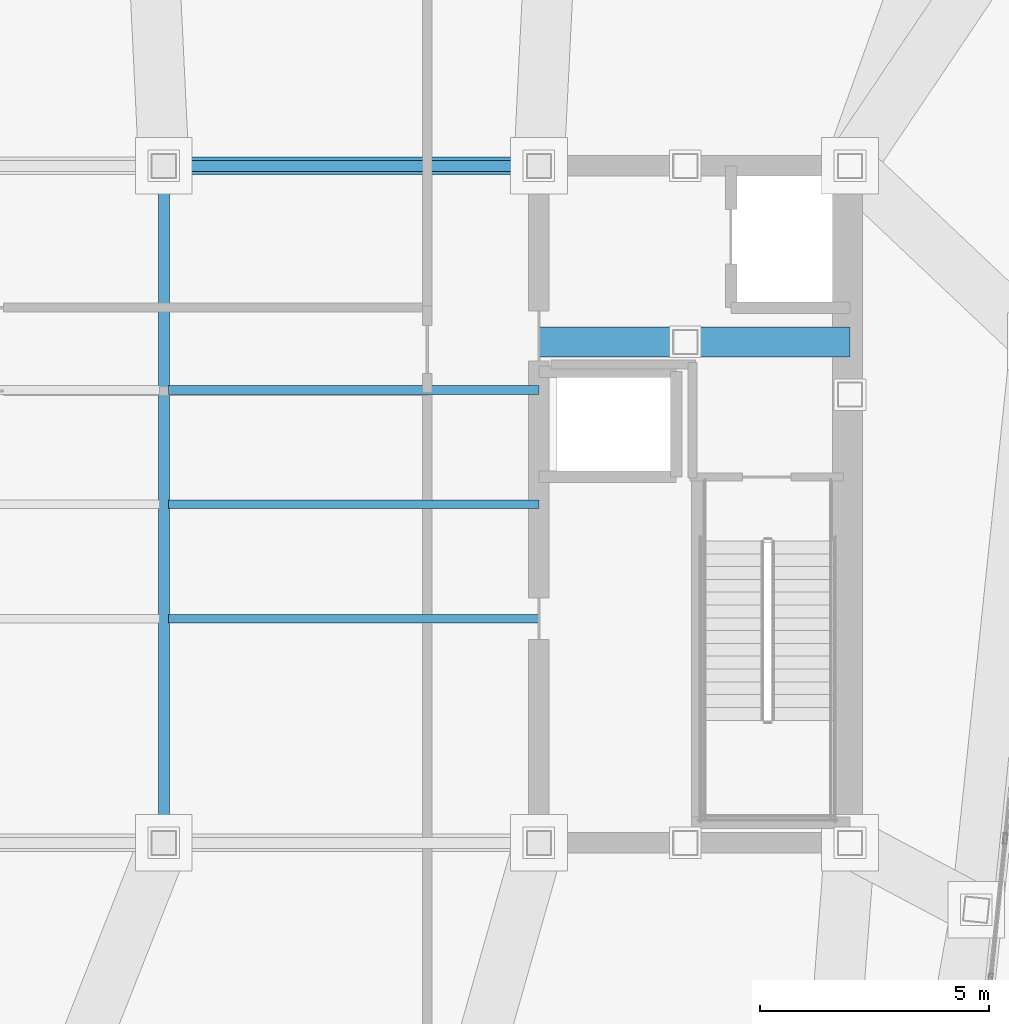
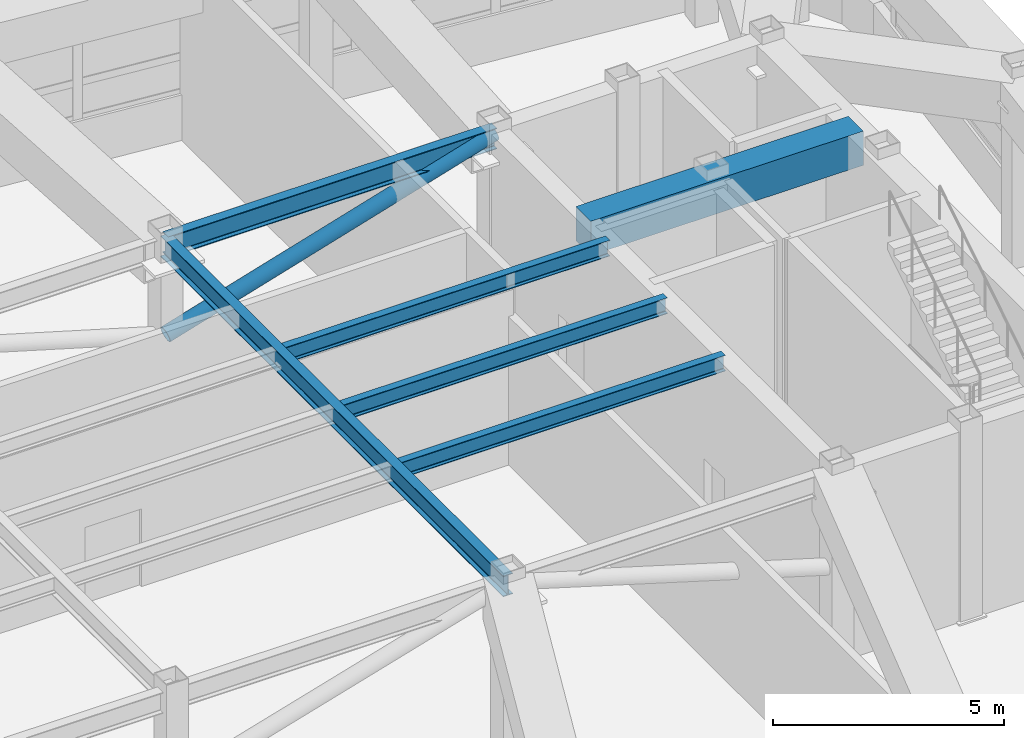
# One storey, part 10 of 22: 6 beams, 1 member.
"""IFC4 building model written with IfcOpenShell, lengths in metres."""

import ifcopenshell
import ifcopenshell.guid

model = None  # the IFC model being written
_history = None  # IfcOwnerHistory: only IFC2X3 demands one
_inside = {}  # id of a spatial element -> (the spatial element, [elements in it])
_under = {}  # id of a project, library or spatial element -> (it, [spatial elements below it])
_declared = {}  # id of a project -> (the project, [libraries it declares])
_typed = {}  # id of a type object -> (the type object, [elements of that type])
_made_of = {}  # id of a material, layer set ... -> (it, [elements and type objects made of it])


def new_model(schema):
    """Start an empty IFC model of exactly this schema.

    Asked for "IFC4X3", IfcOpenShell would pick the latest addendum, in which some entities
    have other attributes; the version numbers below select the first issue.
    IFC2X3 requires an IfcOwnerHistory on every rooted entity: one is made here for all.
    """
    global model, _history
    if schema == "IFC4X3":
        model = ifcopenshell.file(schema_version=(4, 3, 0, 0))
    else:
        model = ifcopenshell.file(schema=schema)
    _inside.clear()
    _under.clear()
    _declared.clear()
    _typed.clear()
    _made_of.clear()
    _history = None
    if model.schema == "IFC2X3":
        org = make("IfcOrganization", Name="unknown")
        user = make(
            "IfcPersonAndOrganization",
            ThePerson=make("IfcPerson", FamilyName="unknown"),
            TheOrganization=org,
        )
        app = make(
            "IfcApplication",
            ApplicationDeveloper=org,
            Version="unknown",
            ApplicationFullName="unknown",
            ApplicationIdentifier="unknown",
        )
        _history = make(
            "IfcOwnerHistory",
            OwningUser=user,
            OwningApplication=app,
            ChangeAction="ADDED",
            CreationDate=0,
        )
    return model


def make(cls, **values):
    """One entity of the class cls with the attributes given. An attribute that is None is left unset."""
    return model.create_entity(
        cls, **{name: value for name, value in values.items() if value is not None}
    )


def rooted(cls, **values):
    """An entity with a GlobalId (a new one), such as an element, a storey or a relation."""
    return make(cls, GlobalId=ifcopenshell.guid.new(), OwnerHistory=_history, **values)


def si_unit(unit_type, name, prefix=None):
    """IfcSIUnit, for example si_unit("LENGTHUNIT", "METRE", prefix="MILLI")."""
    return make("IfcSIUnit", UnitType=unit_type, Prefix=prefix, Name=name)


def assignment(units):
    """IfcUnitAssignment: the units of a project."""
    return None if units is None else make("IfcUnitAssignment", Units=units)


def point(xyz):
    """IfcCartesianPoint."""
    return None if xyz is None else make("IfcCartesianPoint", Coordinates=xyz)


def direction(xyz):
    """IfcDirection."""
    return None if xyz is None else make("IfcDirection", DirectionRatios=xyz)


def frame(location, z_axis=None, x_axis=None):
    """IfcAxis2Placement3D, a coordinate frame: its origin and axes. An axis left out is left unset."""
    return make(
        "IfcAxis2Placement3D",
        Location=point(location),
        Axis=direction(z_axis),
        RefDirection=direction(x_axis),
    )


def frame_2d(location, x_axis=None):
    """IfcAxis2Placement2D, a coordinate frame in the plane: its origin and x axis."""
    return make(
        "IfcAxis2Placement2D", Location=point(location), RefDirection=direction(x_axis)
    )


def origin():
    """The frame at (0, 0, 0) with its axes left unset."""
    return frame((0.0, 0.0, 0.0))


def origin_2d():
    """The frame at (0, 0) in the plane with its x axis left unset."""
    return frame_2d((0.0, 0.0))


def place(relative_to, where):
    """IfcLocalPlacement: puts the frame where relative to a parent placement (None: the world)."""
    return make(
        "IfcLocalPlacement", PlacementRelTo=relative_to, RelativePlacement=where
    )


def context(
    kind, dimensions, precision=None, world=None, true_north=None, identifier=None
):
    """IfcGeometricRepresentationContext, for example the 3D "Model" context."""
    return make(
        "IfcGeometricRepresentationContext",
        ContextIdentifier=identifier,
        ContextType=kind,
        CoordinateSpaceDimension=dimensions,
        Precision=precision,
        WorldCoordinateSystem=world,
        TrueNorth=true_north,
    )


def subcontext(parent, identifier, kind, view, scale=None):
    """IfcGeometricRepresentationSubContext, for example "Body" below "Model"."""
    return make(
        "IfcGeometricRepresentationSubContext",
        ContextIdentifier=identifier,
        ContextType=kind,
        ParentContext=parent,
        TargetScale=scale,
        TargetView=view,
    )


def project(units=None, contexts=None):
    """IfcProject with its units and contexts."""
    return rooted(
        "IfcProject",
        Name="project",
        RepresentationContexts=contexts,
        UnitsInContext=assignment(units),
    )


def spatial(cls, under=None, at=None, **own):
    """A site, building, storey or space (cls), placed at a placement, below another one or the project."""
    s = rooted(cls, ObjectPlacement=at, **own)
    if under is not None:
        _under.setdefault(under.id(), (under, []))[1].append(s)
    return s


def profile(cls, at=None, kind="AREA", **sizes):
    """A parametric profile (cls). Its sizes go by their IFC names, for example OverallWidth=200.0."""
    return make(cls, ProfileType=kind, Position=at, **sizes)


def rectangle(**sizes):
    """IfcRectangleProfileDef."""
    return profile("IfcRectangleProfileDef", **sizes)


def hollow_circle(**sizes):
    """IfcCircleHollowProfileDef."""
    return profile("IfcCircleHollowProfileDef", **sizes)


def i_section(**sizes):
    """IfcIShapeProfileDef."""
    return profile("IfcIShapeProfileDef", **sizes)


def extrude(swept, where, along, depth):
    """IfcExtrudedAreaSolid: the profile swept, set in the frame where, extruded along a direction by depth."""
    return make(
        "IfcExtrudedAreaSolid",
        SweptArea=swept,
        Position=where,
        ExtrudedDirection=direction(along),
        Depth=depth,
    )


def shape(context_of_items, identifier, shape_type, items):
    """IfcShapeRepresentation: the items that make up one representation, for example the "Body"."""
    return make(
        "IfcShapeRepresentation",
        ContextOfItems=context_of_items,
        RepresentationIdentifier=identifier,
        RepresentationType=shape_type,
        Items=items,
    )


def material(Name=None, Category=None):
    """IfcMaterial."""
    return make("IfcMaterial", Name=Name, Category=Category)


def material_profile(
    of_material, cross_section, Name=None, Category=None, Priority=None
):
    """IfcMaterialProfile: a cross section and its material."""
    return make(
        "IfcMaterialProfile",
        Name=Name,
        Material=of_material,
        Profile=cross_section,
        Priority=Priority,
        Category=Category,
    )


def profile_set(profiles, Name=None, composite=None):
    """IfcMaterialProfileSet."""
    return make(
        "IfcMaterialProfileSet",
        Name=Name,
        MaterialProfiles=profiles,
        CompositeProfile=composite,
    )


def made_of(thing, what):
    """Note that an element or type object is made of a material, layer set ...; save() writes the relation."""
    if what is not None:
        _made_of.setdefault(what.id(), (what, []))[1].append(thing)
    return thing


def type_object(cls, material=None, **own):
    """A type object (cls), such as IfcWallType, which elements share."""
    return made_of(rooted(cls, **own), material)


def element(
    cls,
    number,
    at=None,
    inside=None,
    cuts=None,
    type_object=None,
    material=None,
    context=None,
    identifier="Body",
    shape_type=None,
    held_by="IfcProductDefinitionShape",
    body=None,
    shapes=None,
    **own,
):
    """One element of the class cls, such as IfcWall. Its Tag is "e" and its number.

    at: its placement. inside: the storey or other place that contains it. cuts: it is an
    opening in that element (IfcRelVoidsElement). A single representation is given by context,
    identifier, shape_type and body (its items); several are given by shapes. held_by: the class
    of the entity that holds the representations. save() writes the other relations.
    """
    e = rooted(cls, Tag="e%d" % number, ObjectPlacement=at, **own)
    if body is not None:
        shapes = [shape(context, identifier, shape_type, body)]
    if shapes is not None:
        e.Representation = make(held_by, Representations=shapes)
    if inside is not None:
        _inside.setdefault(inside.id(), (inside, []))[1].append(e)
    if cuts is not None:
        rooted(
            "IfcRelVoidsElement", RelatingBuildingElement=cuts, RelatedOpeningElement=e
        )
    if type_object is not None:
        _typed.setdefault(type_object.id(), (type_object, []))[1].append(e)
    return made_of(e, material)


def aggregate(whole, parts):
    """IfcRelAggregates: a whole, such as a stair, and the parts it consists of."""
    return rooted("IfcRelAggregates", RelatingObject=whole, RelatedObjects=parts)


def save(model, path):
    """Write the relations noted so far, then the file.

    IfcRelAggregates (storeys below a building ...), IfcRelContainedInSpatialStructure (elements
    in a storey), IfcRelDefinesByType, IfcRelAssociatesMaterial and IfcRelDeclares: one each for
    every whole, place, type object, material and project.
    """
    for whole, parts in _under.values():
        aggregate(whole, parts)
    for where, things in _inside.values():
        rooted(
            "IfcRelContainedInSpatialStructure",
            RelatedElements=things,
            RelatingStructure=where,
        )
    for kind, things in _typed.values():
        rooted("IfcRelDefinesByType", RelatedObjects=things, RelatingType=kind)
    for what, things in _made_of.values():
        rooted("IfcRelAssociatesMaterial", RelatedObjects=things, RelatingMaterial=what)
    for by, libraries in _declared.values():
        rooted("IfcRelDeclares", RelatingContext=by, RelatedDefinitions=libraries)
    model.write(path)


model = new_model("IFC4")

# Units and contexts
model_context = context("Model", 3, precision=1e-05, world=origin(), true_north=direction((0.0, 1.0)))
body_context = subcontext(model_context, "Body", "Model", "MODEL_VIEW")
ifc_project = project(units=[si_unit("LENGTHUNIT", "METRE"), si_unit("AREAUNIT", "SQUARE_METRE"), si_unit("VOLUMEUNIT", "CUBIC_METRE"), si_unit("PLANEANGLEUNIT", "RADIAN"), si_unit("MASSUNIT", "GRAM", prefix="KILO")], contexts=[model_context])

# Site, building, storey
site_placement = place(None, origin())
site = spatial("IfcSite", under=ifc_project, at=site_placement, CompositionType="ELEMENT")
building_placement = place(site_placement, origin())
building = spatial("IfcBuilding", under=site, at=building_placement, Name="Voryun Gate Residences", CompositionType="ELEMENT")
storey_placement = place(building_placement, frame((0.0, 0.0, 310.699951171875)))
storey = spatial("IfcBuildingStorey", under=building, at=storey_placement, Name="L77", CompositionType="ELEMENT", Elevation=310.699951171875)

# Beams
ifc_material_1 = material(Name="Concrete C60/75", Category="concrete")
ifc_material_profile_1 = material_profile(ifc_material_1, rectangle(XDim=0.64990234375, YDim=0.89990234375, at=origin_2d()), Name="RC-650x900")
ifc_profile_set_1 = profile_set([ifc_material_profile_1], Name="Concrete C60/75")
beam_type_1 = type_object("IfcBeamType", Name="BM_COUP_RC900", PredefinedType="LINTEL", material=ifc_profile_set_1)
beam_1_placement = place(storey_placement, frame((12.39990234375, 3.550048828125, 4.574951171875), z_axis=(1.0, 0.0, 0.0), x_axis=(0.0, 1.0, 0.0)))
element("IfcBeam", 1, at=beam_1_placement, inside=storey, type_object=beam_type_1, Name="BM-L77-EC1", PredefinedType="LINTEL", context=body_context, shape_type="SweptSolid", body=[
    extrude(rectangle(XDim=0.64990234375, YDim=0.89990234375, at=origin_2d()), origin(), (0.0, 0.0, 1.0), 6.800048828125),
])
ifc_material_2 = material(Name="Steel SM355", Category="steel")
ifc_material_profile_2 = material_profile(ifc_material_2, i_section(OverallWidth=0.239990234375, OverallDepth=0.550048828125, WebThickness=0.011962890625, FlangeThickness=0.02001953125, FilletRadius=0.01806640625, at=origin_2d()), Name="H-550x240x12x20")
ifc_profile_set_2 = profile_set([ifc_material_profile_2], Name="Steel SM355")
beam_type_2 = type_object("IfcBeamType", Name="BM_GIRD_550", PredefinedType="USERDEFINED", material=ifc_profile_set_2)
beam_2_placement = place(storey_placement, frame((4.199951171875, 7.39990234375, 4.75), z_axis=(1.0, 0.0, 0.0), x_axis=(0.0, 1.0, 0.0)))
element("IfcBeam", 2, at=beam_2_placement, inside=storey, type_object=beam_type_2, Name="BM-L77-SPG3-N", ObjectType="GIRDER", PredefinedType="USERDEFINED", context=body_context, shape_type="SweptSolid", body=[
    extrude(i_section(OverallWidth=0.239990234375, OverallDepth=0.550048828125, WebThickness=0.011962890625, FlangeThickness=0.02001953125, FilletRadius=0.01806640625, at=origin_2d()), origin(), (0.0, 0.0, 1.0), 8.199951171875),
])
beam_3_placement = place(storey_placement, frame((4.199951171875, -7.39990234375, 4.75), z_axis=(0.0, 1.0, 0.0), x_axis=(-1.0, 0.0, 0.0)))
element("IfcBeam", 3, at=beam_3_placement, inside=storey, type_object=beam_type_2, Name="BM-L77-SPX-E", ObjectType="GIRDER", PredefinedType="USERDEFINED", context=body_context, shape_type="SweptSolid", body=[
    extrude(i_section(OverallWidth=0.239990234375, OverallDepth=0.550048828125, WebThickness=0.011962890625, FlangeThickness=0.02001953125, FilletRadius=0.01806640625, at=origin_2d()), origin(), (0.0, 0.0, 1.0), 14.7998046875),
])
ifc_material_3 = material(Name="Steel SM355", Category="steel")
ifc_material_profile_3 = material_profile(ifc_material_3, i_section(OverallWidth=0.18994140625, OverallDepth=0.419921875, WebThickness=0.009033203125, FlangeThickness=0.01611328125, FilletRadius=0.01806640625, at=origin_2d()), Name="H-420x190x9x16")
ifc_profile_set_3 = profile_set([ifc_material_profile_3], Name="Steel SM355")
beam_type_3 = type_object("IfcBeamType", Name="BM_SEC_420", PredefinedType="BEAM", material=ifc_profile_set_3)
for number, where, z_axis, x_axis, name in (
    (4, (4.300048828125, -2.5, 4.81494140625), (1.0, 0.0, 0.0), (0.0, 1.0, 0.0), "BM-L77-SEC-CS3"),
    (5, (4.300048828125, 0.0, 4.81494140625), (1.0, 0.0, 0.0), (0.0, 1.0, 0.0), "BM-L77-SEC-CM3"),
    (6, (4.300048828125, 2.5, 4.81494140625), (1.0, 0.0, 0.0), (0.0, 1.0, 0.0), "BM-L77-SEC-CN3"),
):
    element("IfcBeam", number, at=place(storey_placement, frame(where, z_axis=z_axis, x_axis=x_axis)), inside=storey, type_object=beam_type_3, Name=name, PredefinedType="BEAM", context=body_context, shape_type="SweptSolid", body=[
        extrude(i_section(OverallWidth=0.18994140625, OverallDepth=0.419921875, WebThickness=0.009033203125, FlangeThickness=0.01611328125, FilletRadius=0.01806640625, at=origin_2d()), origin(), (0.0, 0.0, 1.0), 8.099853515625),
    ])

# Member
ifc_material_4 = material(Name="Steel SM355", Category="steel")
ifc_material_profile_4 = material_profile(ifc_material_4, hollow_circle(Radius=0.18994140625, WallThickness=0.01806640625, at=origin_2d()), Name="CHS-380x18")
ifc_profile_set_4 = profile_set([ifc_material_profile_4], Name="Steel SM355")
member_type = type_object("IfcMemberType", Name="MBR_CROWN_DIAGRID", PredefinedType="BRACE", material=ifc_profile_set_4)
member_placement = place(storey_placement, frame((4.199951171875, 7.39990234375, 2.380126953125), z_axis=(0.957669975605, 0.0, 0.287868403659), x_axis=(0.0, 1.0, 0.0)))
element("IfcMember", 7, at=member_placement, inside=storey, type_object=member_type, Name="L77 Lantern Spine Diagrid Brace 06", PredefinedType="BRACE", context=body_context, shape_type="SweptSolid", body=[
    extrude(hollow_circle(Radius=0.18994140625, WallThickness=0.01806640625, at=origin_2d()), origin(), (0.0, 0.0, 1.0), 8.5625),
])

save(model, "model.ifc")
